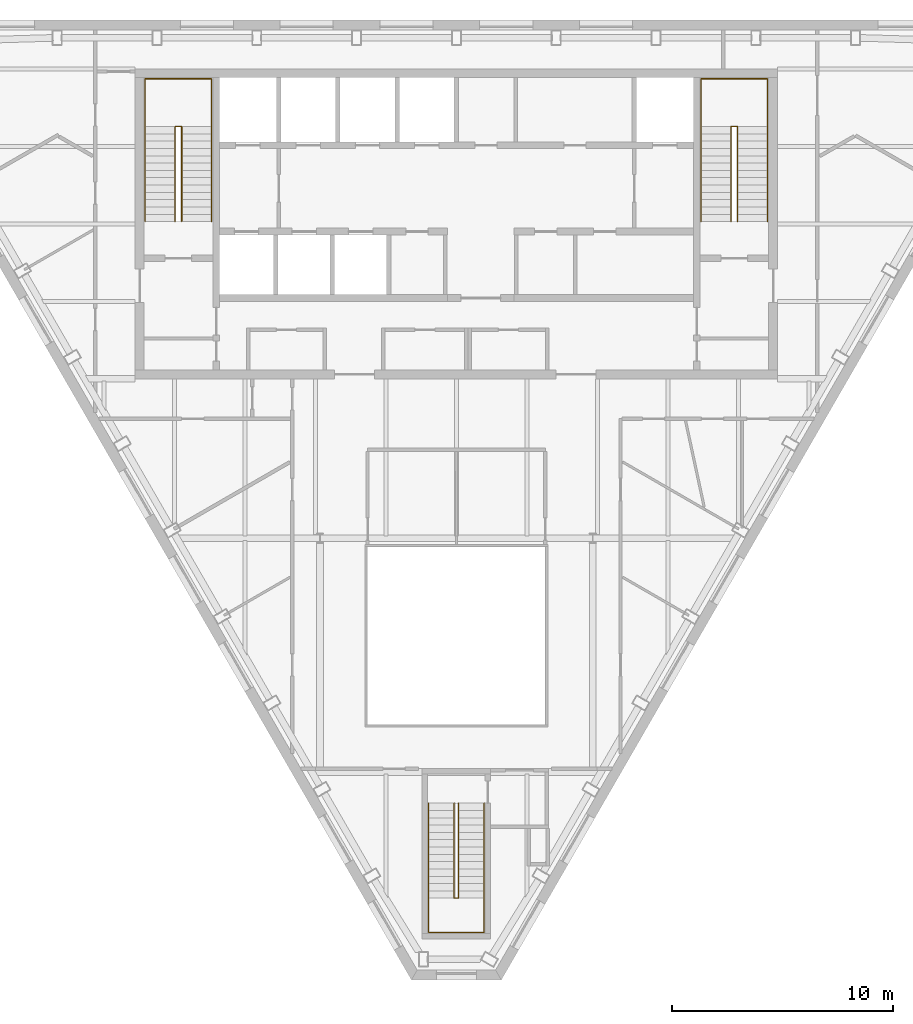
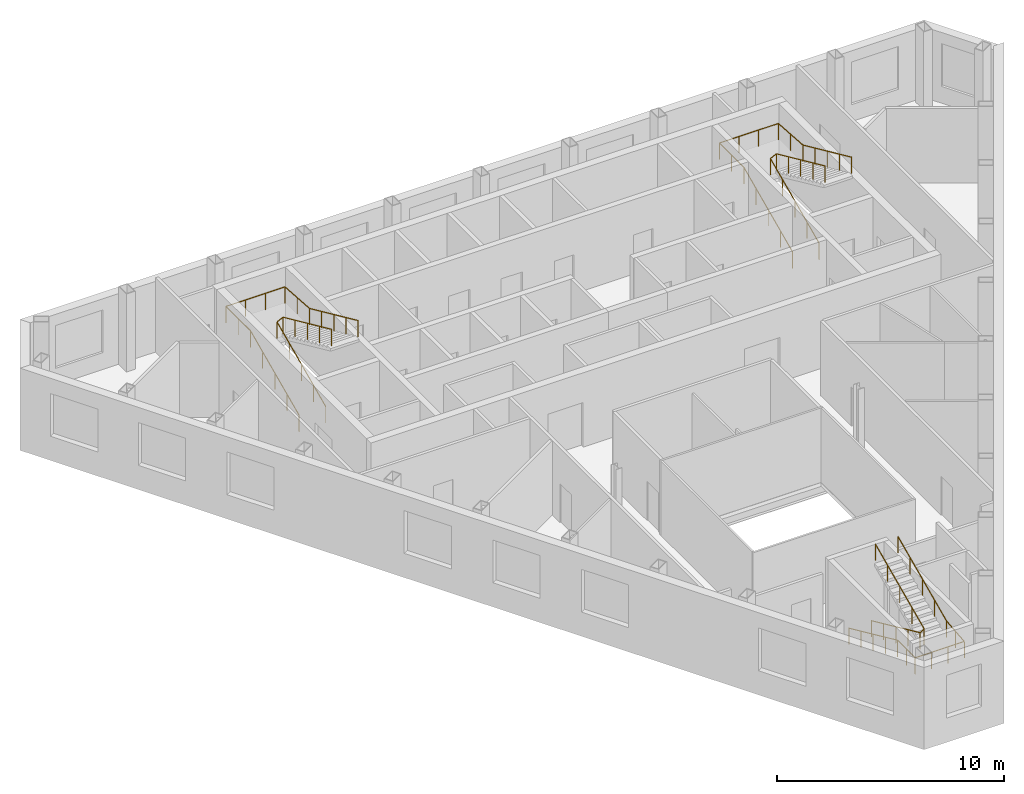
# One storey, part 10 of 10: 6 railings.
"""IFC4 building model written with IfcOpenShell, lengths in metres."""

from ifc_helpers import new_model, si_unit, direction, frame, origin, origin_2d, place, context, subcontext, project, spatial, circle, extrude, material, type_object, element, save


model = new_model("IFC4")

# Units and contexts
model_context = context("Model", 3, precision=1e-05, world=origin(), true_north=direction((0.0, 1.0)))
body_context = subcontext(model_context, "Body", "Model", "MODEL_VIEW")
ifc_project = project(units=[si_unit("LENGTHUNIT", "METRE"), si_unit("AREAUNIT", "SQUARE_METRE"), si_unit("VOLUMEUNIT", "CUBIC_METRE"), si_unit("PLANEANGLEUNIT", "RADIAN"), si_unit("MASSUNIT", "GRAM", prefix="KILO")], contexts=[model_context])

# Site, building, storey
site_placement = place(None, origin())
site = spatial("IfcSite", under=ifc_project, at=site_placement, CompositionType="ELEMENT")
building_placement = place(site_placement, origin())
building = spatial("IfcBuilding", under=site, at=building_placement, Name="Njiva Tower", CompositionType="ELEMENT")
storey_placement = place(building_placement, frame((0.0, 0.0, 333.6)))
storey = spatial("IfcBuildingStorey", under=building, at=storey_placement, Name="L76", CompositionType="ELEMENT", Elevation=333.6)

# Railings
ifc_material = material(Name="Stainless steel", Category="steel")
railing_type = type_object("IfcRailingType", Name="RL1 Stair handrail 900", PredefinedType="HANDRAIL", material=ifc_material)
railing_1_placement = place(storey_placement, frame((-14.05, 11.1, 0.15)))
element("IfcRailing", 1, at=railing_1_placement, inside=storey, type_object=railing_type, Name="Stair A handrail", PredefinedType="HANDRAIL", context=body_context, shape_type="SweptSolid", body=[
    extrude(circle(Radius=0.024, at=origin_2d()), frame((0.0, 0.0, 0.876), z_axis=(0.0, 0.910366477463, 0.413802944301), x_axis=(-1.0, 0.0, 0.0)), (0.0, 0.0, 1.0), 4.7124),
    extrude(circle(Radius=0.024, at=origin_2d()), frame((0.0, 4.29, 2.826), z_axis=(0.0, 1.0, 0.0), x_axis=(-1.0, 0.0, 0.0)), (0.0, 0.0, 1.0), 2.16),
    extrude(circle(Radius=0.024, at=origin_2d()), frame((0.0, 6.45, 2.826), z_axis=(1.0, 0.0, 0.0), x_axis=(0.0, 1.0, 0.0)), (0.0, 0.0, 1.0), 3.0),
    extrude(circle(Radius=0.024, at=origin_2d()), frame((3.0, 6.45, 2.826), z_axis=(0.0, -0.997597420968, 0.069277598678), x_axis=(1.0, 0.0, 0.0)), (0.0, 0.0, 1.0), 2.1652),
    extrude(circle(Radius=0.024, at=origin_2d()), frame((3.0, 4.29, 2.976), z_axis=(0.0, -0.910366477463, 0.413802944301), x_axis=(1.0, 0.0, 0.0)), (0.0, 0.0, 1.0), 4.7124),
    extrude(circle(Radius=0.021, at=origin_2d()), origin(), (0.0, 0.0, 1.0), 0.852),
    extrude(circle(Radius=0.021, at=origin_2d()), frame((0.0, 1.0725, 0.4875)), (0.0, 0.0, 1.0), 0.852),
    extrude(circle(Radius=0.021, at=origin_2d()), frame((0.0, 2.145, 0.975)), (0.0, 0.0, 1.0), 0.852),
    extrude(circle(Radius=0.021, at=origin_2d()), frame((0.0, 3.2175, 1.4625)), (0.0, 0.0, 1.0), 0.852),
    extrude(circle(Radius=0.021, at=origin_2d()), frame((0.0, 4.29, 1.95)), (0.0, 0.0, 1.0), 0.852),
    extrude(circle(Radius=0.021, at=origin_2d()), frame((0.0, 5.37, 1.95)), (0.0, 0.0, 1.0), 0.852),
    extrude(circle(Radius=0.021, at=origin_2d()), frame((0.0, 6.45, 1.95)), (0.0, 0.0, 1.0), 0.852),
    extrude(circle(Radius=0.021, at=origin_2d()), frame((1.0, 6.45, 1.95)), (0.0, 0.0, 1.0), 0.852),
    extrude(circle(Radius=0.021, at=origin_2d()), frame((2.0, 6.45, 1.95)), (0.0, 0.0, 1.0), 0.852),
    extrude(circle(Radius=0.021, at=origin_2d()), frame((3.0, 6.45, 1.95)), (0.0, 0.0, 1.0), 0.852),
    extrude(circle(Radius=0.021, at=origin_2d()), frame((3.0, 5.37, 2.025)), (0.0, 0.0, 1.0), 0.852),
    extrude(circle(Radius=0.021, at=origin_2d()), frame((3.0, 4.29, 2.1)), (0.0, 0.0, 1.0), 0.852),
    extrude(circle(Radius=0.021, at=origin_2d()), frame((3.0, 3.2175, 2.5875)), (0.0, 0.0, 1.0), 0.852),
    extrude(circle(Radius=0.021, at=origin_2d()), frame((3.0, 2.145, 3.075)), (0.0, 0.0, 1.0), 0.852),
    extrude(circle(Radius=0.021, at=origin_2d()), frame((3.0, 1.0725, 3.5625)), (0.0, 0.0, 1.0), 0.852),
    extrude(circle(Radius=0.021, at=origin_2d()), frame((3.0, 0.0, 4.05)), (0.0, 0.0, 1.0), 0.852),
])
railing_2_placement = place(storey_placement, frame((-12.7, 11.1, 0.15)))
element("IfcRailing", 2, at=railing_2_placement, inside=storey, type_object=railing_type, Name="Stair A handrail", PredefinedType="HANDRAIL", context=body_context, shape_type="SweptSolid", body=[
    extrude(circle(Radius=0.024, at=origin_2d()), frame((0.0, 0.0, 0.876), z_axis=(0.0, 0.910366477463, 0.413802944301), x_axis=(-1.0, 0.0, 0.0)), (0.0, 0.0, 1.0), 4.7124),
    extrude(circle(Radius=0.024, at=origin_2d()), frame((0.0, 4.29, 2.826), z_axis=(0.894427191, 0.0, 0.4472135955), x_axis=(0.0, 1.0, 0.0)), (0.0, 0.0, 1.0), 0.3354),
    extrude(circle(Radius=0.024, at=origin_2d()), frame((0.3, 4.29, 2.976), z_axis=(0.0, -0.910366477463, 0.413802944301), x_axis=(1.0, 0.0, 0.0)), (0.0, 0.0, 1.0), 4.7124),
    extrude(circle(Radius=0.021, at=origin_2d()), origin(), (0.0, 0.0, 1.0), 0.852),
    extrude(circle(Radius=0.021, at=origin_2d()), frame((0.0, 1.0725, 0.4875)), (0.0, 0.0, 1.0), 0.852),
    extrude(circle(Radius=0.021, at=origin_2d()), frame((0.0, 2.145, 0.975)), (0.0, 0.0, 1.0), 0.852),
    extrude(circle(Radius=0.021, at=origin_2d()), frame((0.0, 3.2175, 1.4625)), (0.0, 0.0, 1.0), 0.852),
    extrude(circle(Radius=0.021, at=origin_2d()), frame((0.0, 4.29, 1.95)), (0.0, 0.0, 1.0), 0.852),
    extrude(circle(Radius=0.021, at=origin_2d()), frame((0.3, 4.29, 2.1)), (0.0, 0.0, 1.0), 0.852),
    extrude(circle(Radius=0.021, at=origin_2d()), frame((0.3, 3.2175, 2.5875)), (0.0, 0.0, 1.0), 0.852),
    extrude(circle(Radius=0.021, at=origin_2d()), frame((0.3, 2.145, 3.075)), (0.0, 0.0, 1.0), 0.852),
    extrude(circle(Radius=0.021, at=origin_2d()), frame((0.3, 1.0725, 3.5625)), (0.0, 0.0, 1.0), 0.852),
    extrude(circle(Radius=0.021, at=origin_2d()), frame((0.3, 0.0, 4.05)), (0.0, 0.0, 1.0), 0.852),
])
railing_3_placement = place(storey_placement, frame((11.05, 11.1, 0.15)))
element("IfcRailing", 3, at=railing_3_placement, inside=storey, type_object=railing_type, Name="Stair B handrail", PredefinedType="HANDRAIL", context=body_context, shape_type="SweptSolid", body=[
    extrude(circle(Radius=0.024, at=origin_2d()), frame((0.0, 0.0, 0.876), z_axis=(0.0, 0.910366477463, 0.413802944301), x_axis=(-1.0, 0.0, 0.0)), (0.0, 0.0, 1.0), 4.7124),
    extrude(circle(Radius=0.024, at=origin_2d()), frame((0.0, 4.29, 2.826), z_axis=(0.0, 1.0, 0.0), x_axis=(-1.0, 0.0, 0.0)), (0.0, 0.0, 1.0), 2.16),
    extrude(circle(Radius=0.024, at=origin_2d()), frame((0.0, 6.45, 2.826), z_axis=(1.0, 0.0, 0.0), x_axis=(0.0, 1.0, 0.0)), (0.0, 0.0, 1.0), 3.0),
    extrude(circle(Radius=0.024, at=origin_2d()), frame((3.0, 6.45, 2.826), z_axis=(0.0, -0.997597420968, 0.069277598678), x_axis=(1.0, 0.0, 0.0)), (0.0, 0.0, 1.0), 2.1652),
    extrude(circle(Radius=0.024, at=origin_2d()), frame((3.0, 4.29, 2.976), z_axis=(0.0, -0.910366477463, 0.413802944301), x_axis=(1.0, 0.0, 0.0)), (0.0, 0.0, 1.0), 4.7124),
    extrude(circle(Radius=0.021, at=origin_2d()), origin(), (0.0, 0.0, 1.0), 0.852),
    extrude(circle(Radius=0.021, at=origin_2d()), frame((0.0, 1.0725, 0.4875)), (0.0, 0.0, 1.0), 0.852),
    extrude(circle(Radius=0.021, at=origin_2d()), frame((0.0, 2.145, 0.975)), (0.0, 0.0, 1.0), 0.852),
    extrude(circle(Radius=0.021, at=origin_2d()), frame((0.0, 3.2175, 1.4625)), (0.0, 0.0, 1.0), 0.852),
    extrude(circle(Radius=0.021, at=origin_2d()), frame((0.0, 4.29, 1.95)), (0.0, 0.0, 1.0), 0.852),
    extrude(circle(Radius=0.021, at=origin_2d()), frame((0.0, 5.37, 1.95)), (0.0, 0.0, 1.0), 0.852),
    extrude(circle(Radius=0.021, at=origin_2d()), frame((0.0, 6.45, 1.95)), (0.0, 0.0, 1.0), 0.852),
    extrude(circle(Radius=0.021, at=origin_2d()), frame((1.0, 6.45, 1.95)), (0.0, 0.0, 1.0), 0.852),
    extrude(circle(Radius=0.021, at=origin_2d()), frame((2.0, 6.45, 1.95)), (0.0, 0.0, 1.0), 0.852),
    extrude(circle(Radius=0.021, at=origin_2d()), frame((3.0, 6.45, 1.95)), (0.0, 0.0, 1.0), 0.852),
    extrude(circle(Radius=0.021, at=origin_2d()), frame((3.0, 5.37, 2.025)), (0.0, 0.0, 1.0), 0.852),
    extrude(circle(Radius=0.021, at=origin_2d()), frame((3.0, 4.29, 2.1)), (0.0, 0.0, 1.0), 0.852),
    extrude(circle(Radius=0.021, at=origin_2d()), frame((3.0, 3.2175, 2.5875)), (0.0, 0.0, 1.0), 0.852),
    extrude(circle(Radius=0.021, at=origin_2d()), frame((3.0, 2.145, 3.075)), (0.0, 0.0, 1.0), 0.852),
    extrude(circle(Radius=0.021, at=origin_2d()), frame((3.0, 1.0725, 3.5625)), (0.0, 0.0, 1.0), 0.852),
    extrude(circle(Radius=0.021, at=origin_2d()), frame((3.0, 0.0, 4.05)), (0.0, 0.0, 1.0), 0.852),
])
railing_4_placement = place(storey_placement, frame((12.4, 11.1, 0.15)))
element("IfcRailing", 4, at=railing_4_placement, inside=storey, type_object=railing_type, Name="Stair B handrail", PredefinedType="HANDRAIL", context=body_context, shape_type="SweptSolid", body=[
    extrude(circle(Radius=0.024, at=origin_2d()), frame((0.0, 0.0, 0.876), z_axis=(0.0, 0.910366477463, 0.413802944301), x_axis=(-1.0, 0.0, 0.0)), (0.0, 0.0, 1.0), 4.7124),
    extrude(circle(Radius=0.024, at=origin_2d()), frame((0.0, 4.29, 2.826), z_axis=(0.894427191, 0.0, 0.4472135955), x_axis=(0.0, 1.0, 0.0)), (0.0, 0.0, 1.0), 0.3354),
    extrude(circle(Radius=0.024, at=origin_2d()), frame((0.3, 4.29, 2.976), z_axis=(0.0, -0.910366477463, 0.413802944301), x_axis=(1.0, 0.0, 0.0)), (0.0, 0.0, 1.0), 4.7124),
    extrude(circle(Radius=0.021, at=origin_2d()), origin(), (0.0, 0.0, 1.0), 0.852),
    extrude(circle(Radius=0.021, at=origin_2d()), frame((0.0, 1.0725, 0.4875)), (0.0, 0.0, 1.0), 0.852),
    extrude(circle(Radius=0.021, at=origin_2d()), frame((0.0, 2.145, 0.975)), (0.0, 0.0, 1.0), 0.852),
    extrude(circle(Radius=0.021, at=origin_2d()), frame((0.0, 3.2175, 1.4625)), (0.0, 0.0, 1.0), 0.852),
    extrude(circle(Radius=0.021, at=origin_2d()), frame((0.0, 4.29, 1.95)), (0.0, 0.0, 1.0), 0.852),
    extrude(circle(Radius=0.021, at=origin_2d()), frame((0.3, 4.29, 2.1)), (0.0, 0.0, 1.0), 0.852),
    extrude(circle(Radius=0.021, at=origin_2d()), frame((0.3, 3.2175, 2.5875)), (0.0, 0.0, 1.0), 0.852),
    extrude(circle(Radius=0.021, at=origin_2d()), frame((0.3, 2.145, 3.075)), (0.0, 0.0, 1.0), 0.852),
    extrude(circle(Radius=0.021, at=origin_2d()), frame((0.3, 1.0725, 3.5625)), (0.0, 0.0, 1.0), 0.852),
    extrude(circle(Radius=0.021, at=origin_2d()), frame((0.3, 0.0, 4.05)), (0.0, 0.0, 1.0), 0.852),
])
railing_5_placement = place(storey_placement, frame((-1.25, -15.16, 0.15)))
element("IfcRailing", 5, at=railing_5_placement, inside=storey, type_object=railing_type, Name="Stair C handrail", PredefinedType="HANDRAIL", context=body_context, shape_type="SweptSolid", body=[
    extrude(circle(Radius=0.024, at=origin_2d()), frame((0.0, 0.0, 0.876), z_axis=(0.0, -0.910366477463, 0.413802944301), x_axis=(1.0, 0.0, 0.0)), (0.0, 0.0, 1.0), 4.7124),
    extrude(circle(Radius=0.024, at=origin_2d()), frame((0.0, -4.29, 2.826), z_axis=(0.0, -1.0, 0.0), x_axis=(1.0, 0.0, 0.0)), (0.0, 0.0, 1.0), 1.55),
    extrude(circle(Radius=0.024, at=origin_2d()), frame((0.0, -5.84, 2.826), z_axis=(1.0, 0.0, 0.0), x_axis=(0.0, 1.0, 0.0)), (0.0, 0.0, 1.0), 2.5),
    extrude(circle(Radius=0.024, at=origin_2d()), frame((2.5, -5.84, 2.826), z_axis=(0.0, 0.995350013555, 0.09632419486), x_axis=(-1.0, 0.0, 0.0)), (0.0, 0.0, 1.0), 1.5572),
    extrude(circle(Radius=0.024, at=origin_2d()), frame((2.5, -4.29, 2.976), z_axis=(0.0, 0.910366477463, 0.413802944301), x_axis=(-1.0, 0.0, 0.0)), (0.0, 0.0, 1.0), 4.7124),
    extrude(circle(Radius=0.021, at=origin_2d()), origin(), (0.0, 0.0, 1.0), 0.852),
    extrude(circle(Radius=0.021, at=origin_2d()), frame((0.0, -1.0725, 0.4875)), (0.0, 0.0, 1.0), 0.852),
    extrude(circle(Radius=0.021, at=origin_2d()), frame((0.0, -2.145, 0.975)), (0.0, 0.0, 1.0), 0.852),
    extrude(circle(Radius=0.021, at=origin_2d()), frame((0.0, -3.2175, 1.4625)), (0.0, 0.0, 1.0), 0.852),
    extrude(circle(Radius=0.021, at=origin_2d()), frame((0.0, -4.29, 1.95)), (0.0, 0.0, 1.0), 0.852),
    extrude(circle(Radius=0.021, at=origin_2d()), frame((0.0, -5.065, 1.95)), (0.0, 0.0, 1.0), 0.852),
    extrude(circle(Radius=0.021, at=origin_2d()), frame((0.0, -5.84, 1.95)), (0.0, 0.0, 1.0), 0.852),
    extrude(circle(Radius=0.021, at=origin_2d()), frame((0.8333, -5.84, 1.95)), (0.0, 0.0, 1.0), 0.852),
    extrude(circle(Radius=0.021, at=origin_2d()), frame((1.6667, -5.84, 1.95)), (0.0, 0.0, 1.0), 0.852),
    extrude(circle(Radius=0.021, at=origin_2d()), frame((2.5, -5.84, 1.95)), (0.0, 0.0, 1.0), 0.852),
    extrude(circle(Radius=0.021, at=origin_2d()), frame((2.5, -5.065, 2.025)), (0.0, 0.0, 1.0), 0.852),
    extrude(circle(Radius=0.021, at=origin_2d()), frame((2.5, -4.29, 2.1)), (0.0, 0.0, 1.0), 0.852),
    extrude(circle(Radius=0.021, at=origin_2d()), frame((2.5, -3.2175, 2.5875)), (0.0, 0.0, 1.0), 0.852),
    extrude(circle(Radius=0.021, at=origin_2d()), frame((2.5, -2.145, 3.075)), (0.0, 0.0, 1.0), 0.852),
    extrude(circle(Radius=0.021, at=origin_2d()), frame((2.5, -1.0725, 3.5625)), (0.0, 0.0, 1.0), 0.852),
    extrude(circle(Radius=0.021, at=origin_2d()), frame((2.5, 0.0, 4.05)), (0.0, 0.0, 1.0), 0.852),
])
railing_6_placement = place(storey_placement, frame((-0.1, -15.16, 0.15)))
element("IfcRailing", 6, at=railing_6_placement, inside=storey, type_object=railing_type, Name="Stair C handrail", PredefinedType="HANDRAIL", context=body_context, shape_type="SweptSolid", body=[
    extrude(circle(Radius=0.024, at=origin_2d()), frame((0.0, 0.0, 0.876), z_axis=(0.0, -0.910366477463, 0.413802944301), x_axis=(1.0, 0.0, 0.0)), (0.0, 0.0, 1.0), 4.7124),
    extrude(circle(Radius=0.024, at=origin_2d()), frame((0.0, -4.29, 2.826), z_axis=(0.8, 0.0, 0.6), x_axis=(0.0, 1.0, 0.0)), (0.0, 0.0, 1.0), 0.25),
    extrude(circle(Radius=0.024, at=origin_2d()), frame((0.2, -4.29, 2.976), z_axis=(0.0, 0.910366477463, 0.413802944301), x_axis=(-1.0, 0.0, 0.0)), (0.0, 0.0, 1.0), 4.7124),
    extrude(circle(Radius=0.021, at=origin_2d()), origin(), (0.0, 0.0, 1.0), 0.852),
    extrude(circle(Radius=0.021, at=origin_2d()), frame((0.0, -1.0725, 0.4875)), (0.0, 0.0, 1.0), 0.852),
    extrude(circle(Radius=0.021, at=origin_2d()), frame((0.0, -2.145, 0.975)), (0.0, 0.0, 1.0), 0.852),
    extrude(circle(Radius=0.021, at=origin_2d()), frame((0.0, -3.2175, 1.4625)), (0.0, 0.0, 1.0), 0.852),
    extrude(circle(Radius=0.021, at=origin_2d()), frame((0.0, -4.29, 1.95)), (0.0, 0.0, 1.0), 0.852),
    extrude(circle(Radius=0.021, at=origin_2d()), frame((0.2, -4.29, 2.1)), (0.0, 0.0, 1.0), 0.852),
    extrude(circle(Radius=0.021, at=origin_2d()), frame((0.2, -3.2175, 2.5875)), (0.0, 0.0, 1.0), 0.852),
    extrude(circle(Radius=0.021, at=origin_2d()), frame((0.2, -2.145, 3.075)), (0.0, 0.0, 1.0), 0.852),
    extrude(circle(Radius=0.021, at=origin_2d()), frame((0.2, -1.0725, 3.5625)), (0.0, 0.0, 1.0), 0.852),
    extrude(circle(Radius=0.021, at=origin_2d()), frame((0.2, 0.0, 4.05)), (0.0, 0.0, 1.0), 0.852),
])

save(model, "model.ifc")
